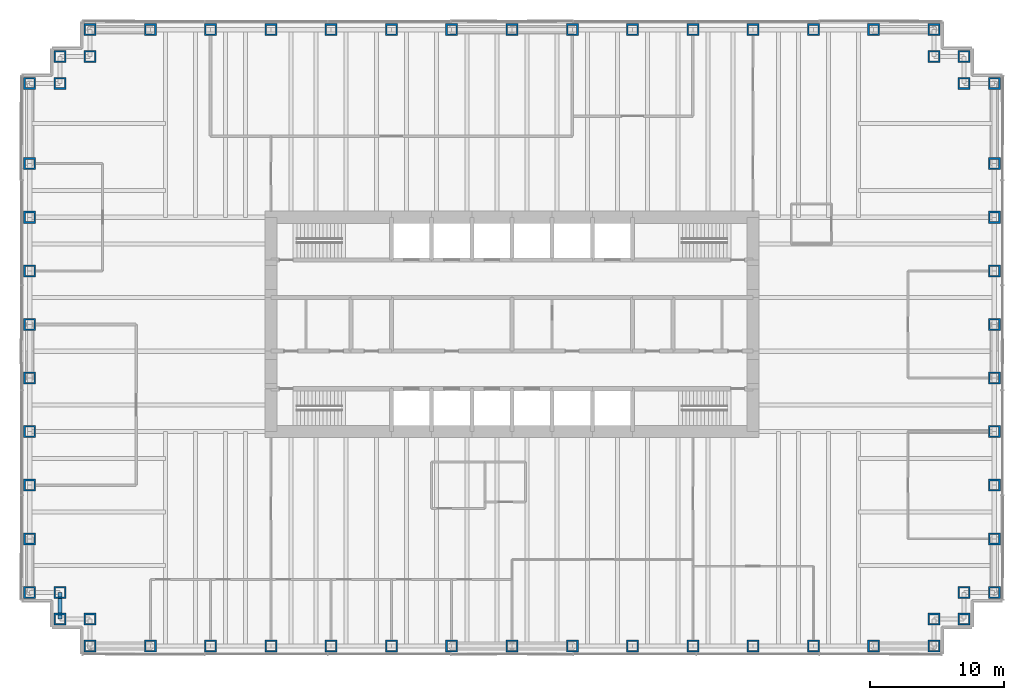
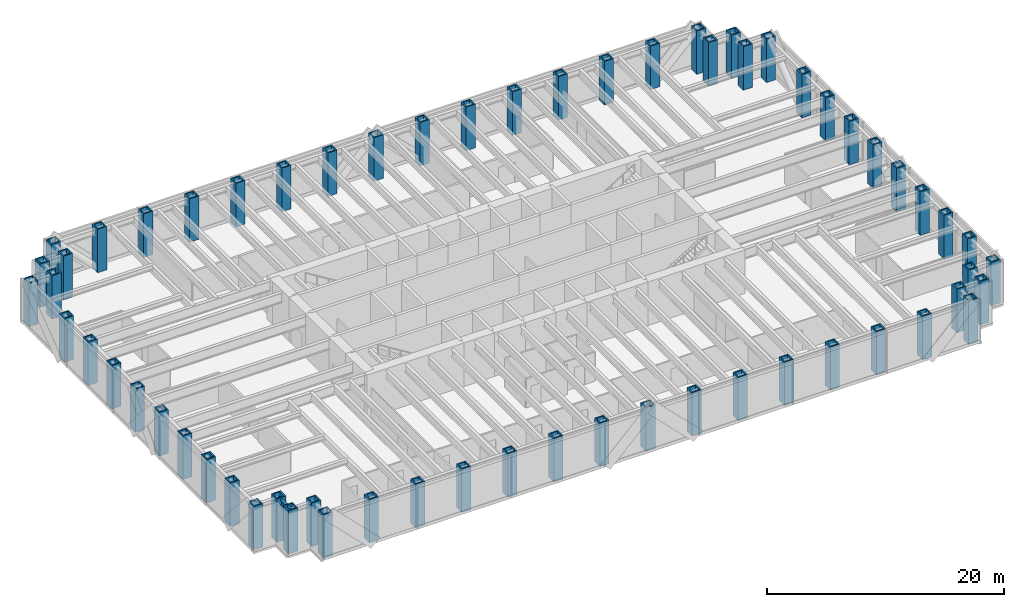
# One storey, part 1 of 13: 62 columns, 1 beam.
"""IFC4 building model written with IfcOpenShell, lengths in metres."""

from ifc_helpers import new_model, si_unit, direction, frame, origin, origin_2d, place, context, subcontext, project, spatial, hollow_rectangle, i_section, extrude, material, material_profile, profile_set, type_object, element, save


model = new_model("IFC4")

# Units and contexts
model_context = context("Model", 3, precision=1e-05, world=origin(), true_north=direction((0.0, 1.0)))
body_context = subcontext(model_context, "Body", "Model", "MODEL_VIEW")
ifc_project = project(units=[si_unit("LENGTHUNIT", "METRE"), si_unit("AREAUNIT", "SQUARE_METRE"), si_unit("VOLUMEUNIT", "CUBIC_METRE"), si_unit("PLANEANGLEUNIT", "RADIAN"), si_unit("MASSUNIT", "GRAM", prefix="KILO")], contexts=[model_context])

# Site, building, storey
site_placement = place(None, origin())
site = spatial("IfcSite", under=ifc_project, at=site_placement, CompositionType="ELEMENT")
building_placement = place(site_placement, origin())
building = spatial("IfcBuilding", under=site, at=building_placement, Name="Rheinbord Bourse Tower", CompositionType="ELEMENT")
storey_placement = place(building_placement, frame((0.0, 0.0, 59.0)))
storey = spatial("IfcBuildingStorey", under=building, at=storey_placement, Name="L12", CompositionType="ELEMENT", Elevation=59.0)

# Columns
ifc_material_1 = material(Name="Steel S460M", Category="steel")
ifc_material_profile_1 = material_profile(ifc_material_1, hollow_rectangle(XDim=0.89990234375, YDim=0.89990234375, WallThickness=0.1201171875, at=origin_2d()), Name="BOX 900x900x120")
ifc_profile_set_1 = profile_set([ifc_material_profile_1], Name="Steel S460M")
column_type = type_object("IfcColumnType", Name="TUBE COLUMN BOX 900x900x120", PredefinedType="COLUMN", material=ifc_profile_set_1)
for number, where, z_axis, x_axis, name in (
    (1, (4.5, 0.0, 0.0), (0.0, 0.0, 1.0), (0.0, 1.0, 0.0), "Column SW-E L12"),
    (2, (9.0, 0.0, 0.0), (0.0, 0.0, 1.0), (0.0, 1.0, 0.0), "Column S-9 L12"),
    (3, (13.5, 0.0, 0.0), (0.0, 0.0, 1.0), (0.0, 1.0, 0.0), "Column S-13.5 L12"),
    (4, (18.0, 0.0, 0.0), (0.0, 0.0, 1.0), (0.0, 1.0, 0.0), "Column S-18 L12"),
    (5, (22.5, 0.0, 0.0), (0.0, 0.0, 1.0), (0.0, 1.0, 0.0), "Column S-22.5 L12"),
    (6, (27.0, 0.0, 0.0), (0.0, 0.0, 1.0), (0.0, 1.0, 0.0), "Column S-27 L12"),
    (7, (31.5, 0.0, 0.0), (0.0, 0.0, 1.0), (0.0, 1.0, 0.0), "Column S-31.5 L12"),
    (8, (36.0, 0.0, 0.0), (0.0, 0.0, 1.0), (0.0, 1.0, 0.0), "Column S-36 L12"),
    (9, (40.5, 0.0, 0.0), (0.0, 0.0, 1.0), (0.0, 1.0, 0.0), "Column S-40.5 L12"),
    (10, (45.0, 0.0, 0.0), (0.0, 0.0, 1.0), (0.0, 1.0, 0.0), "Column S-45 L12"),
    (11, (49.5, 0.0, 0.0), (0.0, 0.0, 1.0), (0.0, 1.0, 0.0), "Column S-49.5 L12"),
    (12, (54.0, 0.0, 0.0), (0.0, 0.0, 1.0), (0.0, 1.0, 0.0), "Column S-54 L12"),
    (13, (58.5, 0.0, 0.0), (0.0, 0.0, 1.0), (0.0, 1.0, 0.0), "Column S-58.5 L12"),
    (14, (63.0, 0.0, 0.0), (0.0, 0.0, 1.0), (0.0, 1.0, 0.0), "Column S-63 L12"),
    (15, (67.5, 0.0, 0.0), (0.0, 0.0, 1.0), (0.0, 1.0, 0.0), "Column SE-E L12"),
    (16, (67.5, 2.0, 0.0), (0.0, 0.0, 1.0), (0.0, 1.0, 0.0), "Column SE-D L12"),
    (17, (69.75, 2.0, 0.0), (0.0, 0.0, 1.0), (1.0, 0.0, 0.0), "Column SE-C L12"),
    (18, (69.75, 4.0, 0.0), (0.0, 0.0, 1.0), (1.0, 0.0, 0.0), "Column SE-B L12"),
    (19, (72.0, 4.0, 0.0), (0.0, 0.0, 1.0), (1.0, 0.0, 0.0), "Column SE-A L12"),
    (20, (72.0, 8.0, 0.0), (0.0, 0.0, 1.0), (1.0, 0.0, 0.0), "Column E-8 L12"),
    (21, (72.0, 12.0, 0.0), (0.0, 0.0, 1.0), (1.0, 0.0, 0.0), "Column E-12 L12"),
    (22, (72.0, 16.0, 0.0), (0.0, 0.0, 1.0), (1.0, 0.0, 0.0), "Column E-16 L12"),
    (23, (72.0, 20.0, 0.0), (0.0, 0.0, 1.0), (1.0, 0.0, 0.0), "Column E-20 L12"),
    (24, (72.0, 24.0, 0.0), (0.0, 0.0, 1.0), (1.0, 0.0, 0.0), "Column E-24 L12"),
    (25, (72.0, 28.0, 0.0), (0.0, 0.0, 1.0), (1.0, 0.0, 0.0), "Column E-28 L12"),
    (26, (72.0, 32.0, 0.0), (0.0, 0.0, 1.0), (1.0, 0.0, 0.0), "Column E-32 L12"),
    (27, (72.0, 36.0, 0.0), (0.0, 0.0, 1.0), (1.0, 0.0, 0.0), "Column E-36 L12"),
    (28, (72.0, 42.0, 0.0), (0.0, 0.0, 1.0), (1.0, 0.0, 0.0), "Column NE-A L12"),
    (29, (69.75, 42.0, 0.0), (0.0, 0.0, 1.0), (1.0, 0.0, 0.0), "Column NE-B L12"),
    (30, (69.75, 44.0, 0.0), (0.0, 0.0, 1.0), (1.0, 0.0, 0.0), "Column NE-C L12"),
    (31, (67.5, 44.0, 0.0), (0.0, 0.0, 1.0), (0.0, 1.0, 0.0), "Column NE-D L12"),
    (32, (67.5, 46.0, 0.0), (0.0, 0.0, 1.0), (0.0, 1.0, 0.0), "Column NE-E L12"),
    (33, (63.0, 46.0, 0.0), (0.0, 0.0, 1.0), (0.0, 1.0, 0.0), "Column N-63 L12"),
    (34, (58.5, 46.0, 0.0), (0.0, 0.0, 1.0), (0.0, 1.0, 0.0), "Column N-58.5 L12"),
    (35, (54.0, 46.0, 0.0), (0.0, 0.0, 1.0), (0.0, 1.0, 0.0), "Column N-54 L12"),
    (36, (49.5, 46.0, 0.0), (0.0, 0.0, 1.0), (0.0, 1.0, 0.0), "Column N-49.5 L12"),
    (37, (45.0, 46.0, 0.0), (0.0, 0.0, 1.0), (0.0, 1.0, 0.0), "Column N-45 L12"),
    (38, (40.5, 46.0, 0.0), (0.0, 0.0, 1.0), (0.0, 1.0, 0.0), "Column N-40.5 L12"),
    (39, (36.0, 46.0, 0.0), (0.0, 0.0, 1.0), (0.0, 1.0, 0.0), "Column N-36 L12"),
    (40, (31.5, 46.0, 0.0), (0.0, 0.0, 1.0), (0.0, 1.0, 0.0), "Column N-31.5 L12"),
    (41, (27.0, 46.0, 0.0), (0.0, 0.0, 1.0), (0.0, 1.0, 0.0), "Column N-27 L12"),
    (42, (22.5, 46.0, 0.0), (0.0, 0.0, 1.0), (0.0, 1.0, 0.0), "Column N-22.5 L12"),
    (43, (18.0, 46.0, 0.0), (0.0, 0.0, 1.0), (0.0, 1.0, 0.0), "Column N-18 L12"),
    (44, (13.5, 46.0, 0.0), (0.0, 0.0, 1.0), (0.0, 1.0, 0.0), "Column N-13.5 L12"),
    (45, (9.0, 46.0, 0.0), (0.0, 0.0, 1.0), (0.0, 1.0, 0.0), "Column N-9 L12"),
    (46, (4.5, 46.0, 0.0), (0.0, 0.0, 1.0), (0.0, 1.0, 0.0), "Column NW-E L12"),
    (47, (4.5, 44.0, 0.0), (0.0, 0.0, 1.0), (0.0, 1.0, 0.0), "Column NW-D L12"),
    (48, (2.25, 44.0, 0.0), (0.0, 0.0, 1.0), (1.0, 0.0, 0.0), "Column NW-C L12"),
    (49, (2.25, 42.0, 0.0), (0.0, 0.0, 1.0), (1.0, 0.0, 0.0), "Column NW-B L12"),
    (50, (0.0, 42.0, 0.0), (0.0, 0.0, 1.0), (1.0, 0.0, 0.0), "Column NW-A L12"),
    (51, (0.0, 36.0, 0.0), (0.0, 0.0, 1.0), (1.0, 0.0, 0.0), "Column W-36 L12"),
    (52, (0.0, 32.0, 0.0), (0.0, 0.0, 1.0), (1.0, 0.0, 0.0), "Column W-32 L12"),
    (53, (0.0, 28.0, 0.0), (0.0, 0.0, 1.0), (1.0, 0.0, 0.0), "Column W-28 L12"),
    (54, (0.0, 24.0, 0.0), (0.0, 0.0, 1.0), (1.0, 0.0, 0.0), "Column W-24 L12"),
    (55, (0.0, 20.0, 0.0), (0.0, 0.0, 1.0), (1.0, 0.0, 0.0), "Column W-20 L12"),
    (56, (0.0, 16.0, 0.0), (0.0, 0.0, 1.0), (1.0, 0.0, 0.0), "Column W-16 L12"),
    (57, (0.0, 12.0, 0.0), (0.0, 0.0, 1.0), (1.0, 0.0, 0.0), "Column W-12 L12"),
    (58, (0.0, 8.0, 0.0), (0.0, 0.0, 1.0), (1.0, 0.0, 0.0), "Column W-8 L12"),
    (59, (0.0, 4.0, 0.0), (0.0, 0.0, 1.0), (1.0, 0.0, 0.0), "Column SW-A L12"),
    (60, (2.25, 4.0, 0.0), (0.0, 0.0, 1.0), (1.0, 0.0, 0.0), "Column SW-B L12"),
    (61, (2.25, 2.0, 0.0), (0.0, 0.0, 1.0), (1.0, 0.0, 0.0), "Column SW-C L12"),
    (62, (4.5, 2.0, 0.0), (0.0, 0.0, 1.0), (0.0, 1.0, 0.0), "Column SW-D L12"),
):
    element("IfcColumn", number, at=place(storey_placement, frame(where, z_axis=z_axis, x_axis=x_axis)), inside=storey, type_object=column_type, Name=name, PredefinedType="COLUMN", context=body_context, shape_type="SweptSolid", body=[
        extrude(hollow_rectangle(XDim=0.89990234375, YDim=0.89990234375, WallThickness=0.1201171875, at=origin_2d()), origin(), (0.0, 0.0, 1.0), 4.5),
    ])

# Beam
ifc_material_2 = material(Name="Steel S460", Category="steel")
ifc_material_profile_2 = material_profile(ifc_material_2, i_section(OverallWidth=0.304931640625, OverallDepth=0.6201171875, WebThickness=0.02099609375, FlangeThickness=0.0400390625, at=origin_2d()), Name="HEM 600")
ifc_profile_set_2 = profile_set([ifc_material_profile_2], Name="Steel S460")
beam_type = type_object("IfcBeamType", Name="SPANDREL HEM 600", PredefinedType="SPANDREL", material=ifc_profile_set_2)
beam_placement = place(storey_placement, frame((2.25, 4.0, 4.010009765625), z_axis=(0.0, -1.0, 0.0), x_axis=(1.0, 0.0, 0.0)))
element("IfcBeam", 63, at=beam_placement, inside=storey, type_object=beam_type, Name="Spandrel SW-B-SW-C under L13", PredefinedType="SPANDREL", context=body_context, shape_type="SweptSolid", body=[
    extrude(i_section(OverallWidth=0.304931640625, OverallDepth=0.6201171875, WebThickness=0.02099609375, FlangeThickness=0.0400390625, at=origin_2d()), origin(), (0.0, 0.0, 1.0), 2.0),
])

save(model, "model.ifc")
